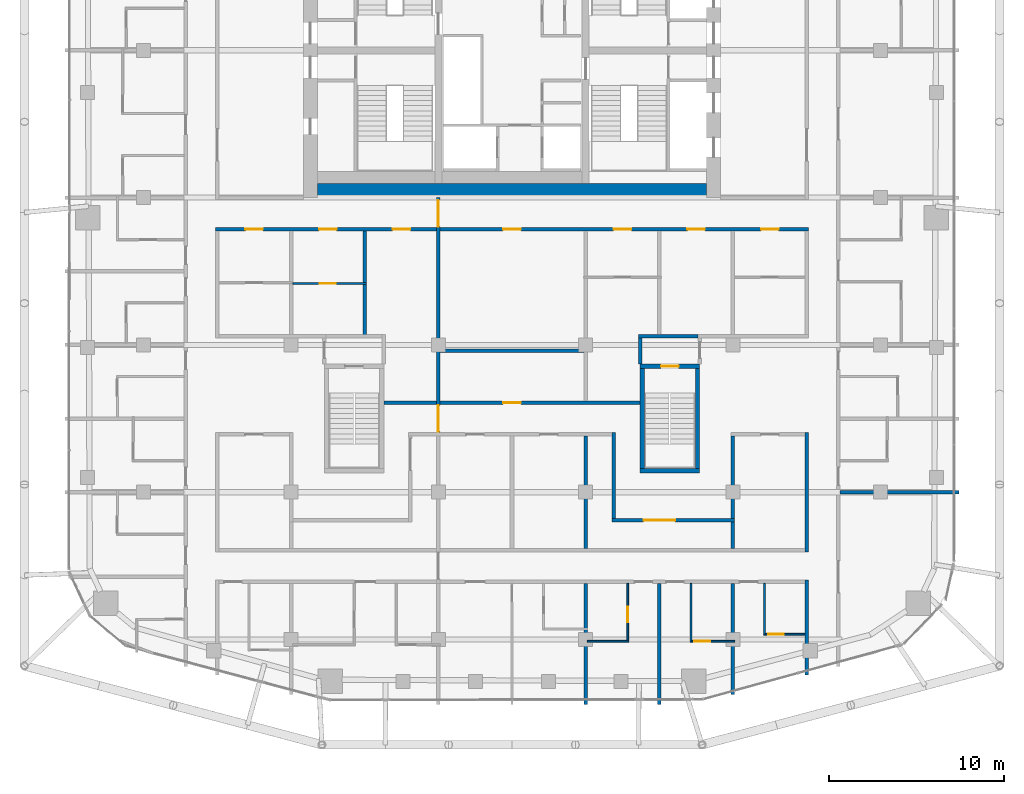
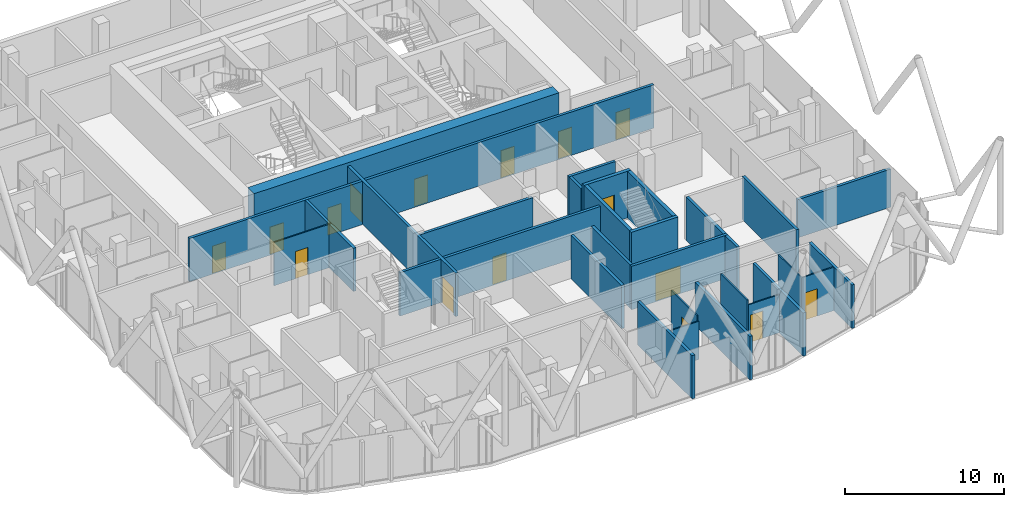
# One storey, part 25 of 31: 30 walls, 16 doors, 16 openings.
"""IFC4 building model written with IfcOpenShell, lengths in metres."""

import ifcopenshell
import ifcopenshell.guid

model = None  # the IFC model being written
_history = None  # IfcOwnerHistory: only IFC2X3 demands one
_inside = {}  # id of a spatial element -> (the spatial element, [elements in it])
_under = {}  # id of a project, library or spatial element -> (it, [spatial elements below it])
_declared = {}  # id of a project -> (the project, [libraries it declares])
_typed = {}  # id of a type object -> (the type object, [elements of that type])
_made_of = {}  # id of a material, layer set ... -> (it, [elements and type objects made of it])


def new_model(schema):
    """Start an empty IFC model of exactly this schema.

    Asked for "IFC4X3", IfcOpenShell would pick the latest addendum, in which some entities
    have other attributes; the version numbers below select the first issue.
    IFC2X3 requires an IfcOwnerHistory on every rooted entity: one is made here for all.
    """
    global model, _history
    if schema == "IFC4X3":
        model = ifcopenshell.file(schema_version=(4, 3, 0, 0))
    else:
        model = ifcopenshell.file(schema=schema)
    _inside.clear()
    _under.clear()
    _declared.clear()
    _typed.clear()
    _made_of.clear()
    _history = None
    if model.schema == "IFC2X3":
        org = make("IfcOrganization", Name="unknown")
        user = make(
            "IfcPersonAndOrganization",
            ThePerson=make("IfcPerson", FamilyName="unknown"),
            TheOrganization=org,
        )
        app = make(
            "IfcApplication",
            ApplicationDeveloper=org,
            Version="unknown",
            ApplicationFullName="unknown",
            ApplicationIdentifier="unknown",
        )
        _history = make(
            "IfcOwnerHistory",
            OwningUser=user,
            OwningApplication=app,
            ChangeAction="ADDED",
            CreationDate=0,
        )
    return model


def make(cls, **values):
    """One entity of the class cls with the attributes given. An attribute that is None is left unset."""
    return model.create_entity(
        cls, **{name: value for name, value in values.items() if value is not None}
    )


def rooted(cls, **values):
    """An entity with a GlobalId (a new one), such as an element, a storey or a relation."""
    return make(cls, GlobalId=ifcopenshell.guid.new(), OwnerHistory=_history, **values)


def si_unit(unit_type, name, prefix=None):
    """IfcSIUnit, for example si_unit("LENGTHUNIT", "METRE", prefix="MILLI")."""
    return make("IfcSIUnit", UnitType=unit_type, Prefix=prefix, Name=name)


def assignment(units):
    """IfcUnitAssignment: the units of a project."""
    return None if units is None else make("IfcUnitAssignment", Units=units)


def point(xyz):
    """IfcCartesianPoint."""
    return None if xyz is None else make("IfcCartesianPoint", Coordinates=xyz)


def direction(xyz):
    """IfcDirection."""
    return None if xyz is None else make("IfcDirection", DirectionRatios=xyz)


def frame(location, z_axis=None, x_axis=None):
    """IfcAxis2Placement3D, a coordinate frame: its origin and axes. An axis left out is left unset."""
    return make(
        "IfcAxis2Placement3D",
        Location=point(location),
        Axis=direction(z_axis),
        RefDirection=direction(x_axis),
    )


def frame_2d(location, x_axis=None):
    """IfcAxis2Placement2D, a coordinate frame in the plane: its origin and x axis."""
    return make(
        "IfcAxis2Placement2D", Location=point(location), RefDirection=direction(x_axis)
    )


def origin():
    """The frame at (0, 0, 0) with its axes left unset."""
    return frame((0.0, 0.0, 0.0))


def place(relative_to, where):
    """IfcLocalPlacement: puts the frame where relative to a parent placement (None: the world)."""
    return make(
        "IfcLocalPlacement", PlacementRelTo=relative_to, RelativePlacement=where
    )


def context(
    kind, dimensions, precision=None, world=None, true_north=None, identifier=None
):
    """IfcGeometricRepresentationContext, for example the 3D "Model" context."""
    return make(
        "IfcGeometricRepresentationContext",
        ContextIdentifier=identifier,
        ContextType=kind,
        CoordinateSpaceDimension=dimensions,
        Precision=precision,
        WorldCoordinateSystem=world,
        TrueNorth=true_north,
    )


def subcontext(parent, identifier, kind, view, scale=None):
    """IfcGeometricRepresentationSubContext, for example "Body" below "Model"."""
    return make(
        "IfcGeometricRepresentationSubContext",
        ContextIdentifier=identifier,
        ContextType=kind,
        ParentContext=parent,
        TargetScale=scale,
        TargetView=view,
    )


def project(units=None, contexts=None):
    """IfcProject with its units and contexts."""
    return rooted(
        "IfcProject",
        Name="project",
        RepresentationContexts=contexts,
        UnitsInContext=assignment(units),
    )


def spatial(cls, under=None, at=None, **own):
    """A site, building, storey or space (cls), placed at a placement, below another one or the project."""
    s = rooted(cls, ObjectPlacement=at, **own)
    if under is not None:
        _under.setdefault(under.id(), (under, []))[1].append(s)
    return s


def profile(cls, at=None, kind="AREA", **sizes):
    """A parametric profile (cls). Its sizes go by their IFC names, for example OverallWidth=200.0."""
    return make(cls, ProfileType=kind, Position=at, **sizes)


def rectangle(**sizes):
    """IfcRectangleProfileDef."""
    return profile("IfcRectangleProfileDef", **sizes)


def extrude(swept, where, along, depth):
    """IfcExtrudedAreaSolid: the profile swept, set in the frame where, extruded along a direction by depth."""
    return make(
        "IfcExtrudedAreaSolid",
        SweptArea=swept,
        Position=where,
        ExtrudedDirection=direction(along),
        Depth=depth,
    )


def shape(context_of_items, identifier, shape_type, items):
    """IfcShapeRepresentation: the items that make up one representation, for example the "Body"."""
    return make(
        "IfcShapeRepresentation",
        ContextOfItems=context_of_items,
        RepresentationIdentifier=identifier,
        RepresentationType=shape_type,
        Items=items,
    )


def material(Name=None, Category=None):
    """IfcMaterial."""
    return make("IfcMaterial", Name=Name, Category=Category)


def layer(
    of_material, thickness, ventilated=None, Name=None, Category=None, Priority=None
):
    """IfcMaterialLayer: one layer of a wall or slab, of a material (None: an air gap)."""
    return make(
        "IfcMaterialLayer",
        Material=of_material,
        LayerThickness=thickness,
        IsVentilated=ventilated,
        Name=Name,
        Category=Category,
        Priority=Priority,
    )


def layer_set(layers, Name=None):
    """IfcMaterialLayerSet."""
    return make("IfcMaterialLayerSet", MaterialLayers=layers, LayerSetName=Name)


def made_of(thing, what):
    """Note that an element or type object is made of a material, layer set ...; save() writes the relation."""
    if what is not None:
        _made_of.setdefault(what.id(), (what, []))[1].append(thing)
    return thing


def type_object(cls, material=None, **own):
    """A type object (cls), such as IfcWallType, which elements share."""
    return made_of(rooted(cls, **own), material)


def element(
    cls,
    number,
    at=None,
    inside=None,
    cuts=None,
    type_object=None,
    material=None,
    context=None,
    identifier="Body",
    shape_type=None,
    held_by="IfcProductDefinitionShape",
    body=None,
    shapes=None,
    **own,
):
    """One element of the class cls, such as IfcWall. Its Tag is "e" and its number.

    at: its placement. inside: the storey or other place that contains it. cuts: it is an
    opening in that element (IfcRelVoidsElement). A single representation is given by context,
    identifier, shape_type and body (its items); several are given by shapes. held_by: the class
    of the entity that holds the representations. save() writes the other relations.
    """
    e = rooted(cls, Tag="e%d" % number, ObjectPlacement=at, **own)
    if body is not None:
        shapes = [shape(context, identifier, shape_type, body)]
    if shapes is not None:
        e.Representation = make(held_by, Representations=shapes)
    if inside is not None:
        _inside.setdefault(inside.id(), (inside, []))[1].append(e)
    if cuts is not None:
        rooted(
            "IfcRelVoidsElement", RelatingBuildingElement=cuts, RelatedOpeningElement=e
        )
    if type_object is not None:
        _typed.setdefault(type_object.id(), (type_object, []))[1].append(e)
    return made_of(e, material)


def fill(opening, filler):
    """IfcRelFillsElement: the door or window that sits in an opening."""
    return rooted(
        "IfcRelFillsElement",
        RelatingOpeningElement=opening,
        RelatedBuildingElement=filler,
    )


def aggregate(whole, parts):
    """IfcRelAggregates: a whole, such as a stair, and the parts it consists of."""
    return rooted("IfcRelAggregates", RelatingObject=whole, RelatedObjects=parts)


def save(model, path):
    """Write the relations noted so far, then the file.

    IfcRelAggregates (storeys below a building ...), IfcRelContainedInSpatialStructure (elements
    in a storey), IfcRelDefinesByType, IfcRelAssociatesMaterial and IfcRelDeclares: one each for
    every whole, place, type object, material and project.
    """
    for whole, parts in _under.values():
        aggregate(whole, parts)
    for where, things in _inside.values():
        rooted(
            "IfcRelContainedInSpatialStructure",
            RelatedElements=things,
            RelatingStructure=where,
        )
    for kind, things in _typed.values():
        rooted("IfcRelDefinesByType", RelatedObjects=things, RelatingType=kind)
    for what, things in _made_of.values():
        rooted("IfcRelAssociatesMaterial", RelatedObjects=things, RelatingMaterial=what)
    for by, libraries in _declared.values():
        rooted("IfcRelDeclares", RelatingContext=by, RelatedDefinitions=libraries)
    model.write(path)


model = new_model("IFC4")

# Units and contexts
model_context = context("Model", 3, precision=1e-05, world=origin(), true_north=direction((0.0, 1.0)))
body_context = subcontext(model_context, "Body", "Model", "MODEL_VIEW")
ifc_project = project(units=[si_unit("LENGTHUNIT", "METRE"), si_unit("AREAUNIT", "SQUARE_METRE"), si_unit("VOLUMEUNIT", "CUBIC_METRE"), si_unit("PLANEANGLEUNIT", "RADIAN"), si_unit("MASSUNIT", "GRAM", prefix="KILO")], contexts=[model_context])

# Site, building, storey
site_placement = place(None, origin())
site = spatial("IfcSite", under=ifc_project, at=site_placement, CompositionType="ELEMENT")
building_placement = place(site_placement, origin())
building = spatial("IfcBuilding", under=site, at=building_placement, Name="Marenta Gate Hotel Tower", CompositionType="ELEMENT")
storey_placement = place(building_placement, frame((0.0, 0.0, 220.10009765625)))
storey = spatial("IfcBuildingStorey", under=building, at=storey_placement, Name="L51", CompositionType="ELEMENT", Elevation=220.10009765625)

# Wall, openings, doors
ifc_material_1 = material(Name="Concrete blockwork", Category="masonry")
ifc_layer_1 = layer(ifc_material_1, 0.199951171875)
ifc_layer_set_1 = layer_set([ifc_layer_1], Name="Concrete blockwork")
wall_type_1 = type_object("IfcWallType", Name="Compartment wall 200 REI 180", PredefinedType="PARTITIONING", material=ifc_layer_set_1)
wall_1_placement = place(storey_placement, frame((-4.199951171875, -13.60009765625, 0.0), z_axis=(0.0, 0.0, 1.0), x_axis=(0.0, 1.0, 0.0)))
wall_1 = element("IfcWall", 1, at=wall_1_placement, inside=storey, type_object=wall_type_1, Name="L51-PTN-W082", PredefinedType="PARTITIONING", context=body_context, shape_type="SweptSolid", body=[
    extrude(rectangle(XDim=13.60009765625, YDim=0.199951171875, at=frame_2d((6.800048828125, 0.0))), origin(), (0.0, 0.0, 1.0), 3.33984375),
])
opening_1_placement = place(wall_1_placement, frame((11.949951171875, 0.0, 0.0)))
opening_1 = element("IfcOpeningElement", 2, at=opening_1_placement, cuts=wall_1, Name="Opening G19-FD2", PredefinedType="OPENING", context=body_context, shape_type="SweptSolid", body=[
    extrude(rectangle(XDim=1.5, YDim=2.10009765625, at=frame_2d((0.75, 1.050048828125))), frame((0.0, 0.10009765625, 0.0), z_axis=(0.0, -1.0, 0.0), x_axis=(1.0, 0.0, 0.0)), (0.0, 0.0, 1.0), 0.199951171875),
])
opening_2_placement = place(wall_1_placement, frame((0.25, 0.0, 0.0)))
opening_2 = element("IfcOpeningElement", 3, at=opening_2_placement, cuts=wall_1, Name="Opening G19-FD3", PredefinedType="OPENING", context=body_context, shape_type="SweptSolid", body=[
    extrude(rectangle(XDim=1.5, YDim=2.10009765625, at=frame_2d((0.75, 1.050048828125))), frame((0.0, 0.10009765625, 0.0), z_axis=(0.0, -1.0, 0.0), x_axis=(1.0, 0.0, 0.0)), (0.0, 0.0, 1.0), 0.199951171875),
])
ifc_material_2 = material(Name="Hollow steel door set", Category="steel")
door_type_1 = type_object("IfcDoorType", Name="Compartment fire door 1500x2100 EI 60", OperationType="DOUBLE_DOOR_DOUBLE_SWING", PredefinedType="DOOR", material=ifc_material_2)
door_1_placement = place(opening_1_placement, origin())
door_1 = element("IfcDoor", 4, at=door_1_placement, inside=storey, type_object=door_type_1, Name="L51-PD-FD02", OperationType="DOUBLE_DOOR_DOUBLE_SWING", OverallHeight=2.10009765625, OverallWidth=1.5, PredefinedType="DOOR", context=body_context, shape_type="SweptSolid", body=[
    extrude(rectangle(XDim=1.5, YDim=2.10009765625, at=frame_2d((0.75, 1.050048828125))), frame((0.0, 0.02490234375, 0.0), z_axis=(0.0, -1.0, 0.0), x_axis=(1.0, 0.0, 0.0)), (0.0, 0.0, 1.0), 0.050048828125),
])
fill(opening_1, door_1)
door_2_placement = place(opening_2_placement, origin())
door_2 = element("IfcDoor", 5, at=door_2_placement, inside=storey, type_object=door_type_1, Name="L51-PD-FD03", OperationType="DOUBLE_DOOR_DOUBLE_SWING", OverallHeight=2.10009765625, OverallWidth=1.5, PredefinedType="DOOR", context=body_context, shape_type="SweptSolid", body=[
    extrude(rectangle(XDim=1.5, YDim=2.10009765625, at=frame_2d((0.75, 1.050048828125))), frame((0.0, 0.02490234375, 0.0), z_axis=(0.0, -1.0, 0.0), x_axis=(1.0, 0.0, 0.0)), (0.0, 0.0, 1.0), 0.050048828125),
])
fill(opening_2, door_2)

# Walls
ifc_material_3 = material(Name="Concrete C60", Category="concrete")
ifc_layer_2 = layer(ifc_material_3, 0.800048828125)
ifc_layer_set_2 = layer_set([ifc_layer_2], Name="Concrete C60")
wall_type_2 = type_object("IfcWallType", Name="Core wall 800 C60", PredefinedType="SHEAR", material=ifc_layer_set_2)
wall_2_placement = place(storey_placement, frame((-11.10009765625, 0.39990234375, 0.0), z_axis=(0.0, 0.0, 1.0), x_axis=(1.0, 0.0, 0.0)))
element("IfcWall", 6, at=wall_2_placement, inside=storey, type_object=wall_type_2, Name="L51-CORE-S", PredefinedType="SHEAR", context=body_context, shape_type="SweptSolid", body=[
    extrude(rectangle(XDim=22.2001953125, YDim=0.800048828125, at=frame_2d((11.10009765625, 0.0))), origin(), (0.0, 0.0, 1.0), 3.599853515625),
])
ifc_material_4 = material(Name="Concrete C40", Category="concrete")
ifc_layer_3 = layer(ifc_material_4, 0.25)
ifc_layer_set_3 = layer_set([ifc_layer_3], Name="Concrete C40")
wall_type_3 = type_object("IfcWallType", Name="Remote stair enclosure wall 250 REI 180", PredefinedType="SHEAR", material=ifc_layer_set_3)
wall_3_placement = place(storey_placement, frame((7.300048828125, -15.574951171875, 0.099853515625), z_axis=(0.0, 0.0, 1.0), x_axis=(1.0, 0.0, 0.0)))
element("IfcWall", 7, at=wall_3_placement, inside=storey, type_object=wall_type_3, Name="L51-RS-Z3-2-W1", PredefinedType="SHEAR", context=body_context, shape_type="SweptSolid", body=[
    extrude(rectangle(XDim=3.39990234375, YDim=0.25, at=frame_2d((1.699951171875, 0.0))), origin(), (0.0, 0.0, 1.0), 3.60009765625),
])

# Wall, opening, door
wall_4_placement = place(storey_placement, frame((7.300048828125, -9.625, 0.099853515625), z_axis=(0.0, 0.0, 1.0), x_axis=(1.0, 0.0, 0.0)))
wall_4 = element("IfcWall", 8, at=wall_4_placement, inside=storey, type_object=wall_type_3, Name="L51-RS-Z3-2-W2", PredefinedType="SHEAR", context=body_context, shape_type="SweptSolid", body=[
    extrude(rectangle(XDim=3.39990234375, YDim=0.25, at=frame_2d((1.699951171875, 0.0))), origin(), (0.0, 0.0, 1.0), 3.60009765625),
])
opening_3_placement = place(wall_4_placement, frame((1.199951171875, 0.0, 0.0)))
opening_3 = element("IfcOpeningElement", 9, at=opening_3_placement, cuts=wall_4, Name="Opening VD", PredefinedType="OPENING", context=body_context, shape_type="SweptSolid", body=[
    extrude(rectangle(XDim=1.0, YDim=2.10009765625, at=frame_2d((0.5, 1.050048828125))), frame((0.0, 0.125, 0.0), z_axis=(0.0, -1.0, 0.0), x_axis=(1.0, 0.0, 0.0)), (0.0, 0.0, 1.0), 0.25),
])
ifc_material_5 = material(Name="Steel", Category="steel")
door_type_2 = type_object("IfcDoorType", Name="Stair vestibule door 1000x2100 FD60", OperationType="SINGLE_SWING_LEFT", PredefinedType="DOOR", material=ifc_material_5)
door_3_placement = place(opening_3_placement, origin())
door_3 = element("IfcDoor", 10, at=door_3_placement, inside=storey, type_object=door_type_2, Name="VD", OperationType="SINGLE_SWING_LEFT", OverallHeight=2.10009765625, OverallWidth=1.0, PredefinedType="DOOR", context=body_context, shape_type="SweptSolid", body=[
    extrude(rectangle(XDim=1.0, YDim=2.10009765625, at=frame_2d((0.5, 1.050048828125))), frame((0.0, 0.02490234375, 0.0), z_axis=(0.0, -1.0, 0.0), x_axis=(1.0, 0.0, 0.0)), (0.0, 0.0, 1.0), 0.050048828125),
])
fill(opening_3, door_3)

# Walls
for number, where, z_axis, x_axis, name in (
    (11, (7.425048828125, -15.449951171875, 0.099853515625), (0.0, 0.0, 1.0), (0.0, 1.0, 0.0), "L51-RS-Z3-2-W3"),
    (12, (10.574951171875, -15.449951171875, 0.099853515625), (0.0, 0.0, 1.0), (0.0, 1.0, 0.0), "L51-RS-Z3-2-W4"),
):
    element("IfcWall", number, at=place(storey_placement, frame(where, z_axis=z_axis, x_axis=x_axis)), inside=storey, type_object=wall_type_3, Name=name, PredefinedType="SHEAR", context=body_context, shape_type="SweptSolid", body=[
        extrude(rectangle(XDim=5.699951171875, YDim=0.25, at=frame_2d((2.85009765625, 0.0))), origin(), (0.0, 0.0, 1.0), 3.60009765625),
    ])

# Wall, opening, door
ifc_material_6 = material(Name="Concrete blockwork", Category="masonry")
ifc_layer_4 = layer(ifc_material_6, 0.199951171875)
ifc_layer_set_4 = layer_set([ifc_layer_4], Name="Concrete blockwork")
wall_type_4 = type_object("IfcWallType", Name="Room corridor wall 200 EI 120", PredefinedType="PARTITIONING", material=ifc_layer_set_4)
wall_5_placement = place(storey_placement, frame((-7.300048828125, -11.699951171875, 0.0), z_axis=(0.0, 0.0, 1.0), x_axis=(1.0, 0.0, 0.0)))
wall_5 = element("IfcWall", 13, at=wall_5_placement, inside=storey, type_object=wall_type_4, Name="L51-PTN-W043", PredefinedType="PARTITIONING", context=body_context, shape_type="SweptSolid", body=[
    extrude(rectangle(XDim=14.60009765625, YDim=0.199951171875, at=frame_2d((7.300048828125, 0.0))), origin(), (0.0, 0.0, 1.0), 3.33984375),
])
opening_4_placement = place(wall_5_placement, frame((6.800048828125, 0.0, 0.0)))
opening_4 = element("IfcOpeningElement", 14, at=opening_4_placement, cuts=wall_5, Name="Opening G19-73", PredefinedType="OPENING", context=body_context, shape_type="SweptSolid", body=[
    extrude(rectangle(XDim=1.0, YDim=2.10009765625, at=frame_2d((0.5, 1.050048828125))), frame((0.0, 0.10009765625, 0.0), z_axis=(0.0, -1.0, 0.0), x_axis=(1.0, 0.0, 0.0)), (0.0, 0.0, 1.0), 0.199951171875),
])
ifc_material_7 = material(Name="Timber door leaf", Category="wood")
door_type_3 = type_object("IfcDoorType", Name="Room amenity door 1000x2100 EI 60", OperationType="NOTDEFINED", PredefinedType="DOOR", material=ifc_material_7)
door_4_placement = place(opening_4_placement, origin())
door_4 = element("IfcDoor", 15, at=door_4_placement, inside=storey, type_object=door_type_3, Name="L51-PD-D073", OperationType="SINGLE_SWING_LEFT", OverallHeight=2.10009765625, OverallWidth=1.0, PredefinedType="DOOR", context=body_context, shape_type="SweptSolid", body=[
    extrude(rectangle(XDim=1.0, YDim=2.10009765625, at=frame_2d((0.5, 1.050048828125))), frame((0.0, 0.02490234375, 0.0), z_axis=(0.0, -1.0, 0.0), x_axis=(1.0, 0.0, 0.0)), (0.0, 0.0, 1.0), 0.050048828125),
])
fill(opening_4, door_4)

# Wall, openings, doors
wall_6_placement = place(storey_placement, frame((-16.89990234375, -1.800048828125, 0.0), z_axis=(0.0, 0.0, 1.0), x_axis=(1.0, 0.0, 0.0)))
wall_6 = element("IfcWall", 16, at=wall_6_placement, inside=storey, type_object=wall_type_4, Name="L51-PTN-W074", PredefinedType="PARTITIONING", context=body_context, shape_type="SweptSolid", body=[
    extrude(rectangle(XDim=33.7998046875, YDim=0.199951171875, at=frame_2d((16.89990234375, 0.0))), origin(), (0.0, 0.0, 1.0), 3.33984375),
])
opening_5_placement = place(wall_6_placement, frame((1.699951171875, 0.0, 0.0)))
opening_5 = element("IfcOpeningElement", 17, at=opening_5_placement, cuts=wall_6, Name="Opening G19-01", PredefinedType="OPENING", context=body_context, shape_type="SweptSolid", body=[
    extrude(rectangle(XDim=1.0, YDim=2.10009765625, at=frame_2d((0.5, 1.050048828125))), frame((0.0, 0.10009765625, 0.0), z_axis=(0.0, -1.0, 0.0), x_axis=(1.0, 0.0, 0.0)), (0.0, 0.0, 1.0), 0.199951171875),
])
opening_6_placement = place(wall_6_placement, frame((5.89990234375, 0.0, 0.0)))
opening_6 = element("IfcOpeningElement", 18, at=opening_6_placement, cuts=wall_6, Name="Opening G19-03", PredefinedType="OPENING", context=body_context, shape_type="SweptSolid", body=[
    extrude(rectangle(XDim=1.0, YDim=2.10009765625, at=frame_2d((0.5, 1.050048828125))), frame((0.0, 0.10009765625, 0.0), z_axis=(0.0, -1.0, 0.0), x_axis=(1.0, 0.0, 0.0)), (0.0, 0.0, 1.0), 0.199951171875),
])
opening_7_placement = place(wall_6_placement, frame((10.10009765625, 0.0, 0.0)))
opening_7 = element("IfcOpeningElement", 19, at=opening_7_placement, cuts=wall_6, Name="Opening G19-05", PredefinedType="OPENING", context=body_context, shape_type="SweptSolid", body=[
    extrude(rectangle(XDim=1.0, YDim=2.10009765625, at=frame_2d((0.5, 1.050048828125))), frame((0.0, 0.10009765625, 0.0), z_axis=(0.0, -1.0, 0.0), x_axis=(1.0, 0.0, 0.0)), (0.0, 0.0, 1.0), 0.199951171875),
])
opening_8_placement = place(wall_6_placement, frame((22.699951171875, 0.0, 0.0)))
opening_8 = element("IfcOpeningElement", 20, at=opening_8_placement, cuts=wall_6, Name="Opening G19-06", PredefinedType="OPENING", context=body_context, shape_type="SweptSolid", body=[
    extrude(rectangle(XDim=1.0, YDim=2.10009765625, at=frame_2d((0.5, 1.050048828125))), frame((0.0, 0.10009765625, 0.0), z_axis=(0.0, -1.0, 0.0), x_axis=(1.0, 0.0, 0.0)), (0.0, 0.0, 1.0), 0.199951171875),
])
opening_9_placement = place(wall_6_placement, frame((26.89990234375, 0.0, 0.0)))
opening_9 = element("IfcOpeningElement", 21, at=opening_9_placement, cuts=wall_6, Name="Opening G19-08", PredefinedType="OPENING", context=body_context, shape_type="SweptSolid", body=[
    extrude(rectangle(XDim=1.0, YDim=2.10009765625, at=frame_2d((0.5, 1.050048828125))), frame((0.0, 0.10009765625, 0.0), z_axis=(0.0, -1.0, 0.0), x_axis=(1.0, 0.0, 0.0)), (0.0, 0.0, 1.0), 0.199951171875),
])
opening_10_placement = place(wall_6_placement, frame((31.10009765625, 0.0, 0.0)))
opening_10 = element("IfcOpeningElement", 22, at=opening_10_placement, cuts=wall_6, Name="Opening G19-09", PredefinedType="OPENING", context=body_context, shape_type="SweptSolid", body=[
    extrude(rectangle(XDim=1.0, YDim=2.10009765625, at=frame_2d((0.5, 1.050048828125))), frame((0.0, 0.10009765625, 0.0), z_axis=(0.0, -1.0, 0.0), x_axis=(1.0, 0.0, 0.0)), (0.0, 0.0, 1.0), 0.199951171875),
])
opening_11_placement = place(wall_6_placement, frame((16.39990234375, 0.0, 0.0)))
opening_11 = element("IfcOpeningElement", 23, at=opening_11_placement, cuts=wall_6, Name="Opening G19-74", PredefinedType="OPENING", context=body_context, shape_type="SweptSolid", body=[
    extrude(rectangle(XDim=1.0, YDim=2.10009765625, at=frame_2d((0.5, 1.050048828125))), frame((0.0, 0.10009765625, 0.0), z_axis=(0.0, -1.0, 0.0), x_axis=(1.0, 0.0, 0.0)), (0.0, 0.0, 1.0), 0.199951171875),
])
door_5_placement = place(opening_7_placement, origin())
door_5 = element("IfcDoor", 24, at=door_5_placement, inside=storey, type_object=door_type_3, Name="L51-PD-D005", OperationType="SINGLE_SWING_RIGHT", OverallHeight=2.10009765625, OverallWidth=1.0, PredefinedType="DOOR", context=body_context, shape_type="SweptSolid", body=[
    extrude(rectangle(XDim=1.0, YDim=2.10009765625, at=frame_2d((0.5, 1.050048828125))), frame((0.0, 0.02490234375, 0.0), z_axis=(0.0, -1.0, 0.0), x_axis=(1.0, 0.0, 0.0)), (0.0, 0.0, 1.0), 0.050048828125),
])
fill(opening_7, door_5)
door_6_placement = place(opening_9_placement, origin())
door_6 = element("IfcDoor", 25, at=door_6_placement, inside=storey, type_object=door_type_3, Name="L51-PD-D008", OperationType="SINGLE_SWING_LEFT", OverallHeight=2.10009765625, OverallWidth=1.0, PredefinedType="DOOR", context=body_context, shape_type="SweptSolid", body=[
    extrude(rectangle(XDim=1.0, YDim=2.10009765625, at=frame_2d((0.5, 1.050048828125))), frame((0.0, 0.02490234375, 0.0), z_axis=(0.0, -1.0, 0.0), x_axis=(1.0, 0.0, 0.0)), (0.0, 0.0, 1.0), 0.050048828125),
])
fill(opening_9, door_6)
door_7_placement = place(opening_11_placement, origin())
door_7 = element("IfcDoor", 26, at=door_7_placement, inside=storey, type_object=door_type_3, Name="L51-PD-D074", OperationType="SINGLE_SWING_LEFT", OverallHeight=2.10009765625, OverallWidth=1.0, PredefinedType="DOOR", context=body_context, shape_type="SweptSolid", body=[
    extrude(rectangle(XDim=1.0, YDim=2.10009765625, at=frame_2d((0.5, 1.050048828125))), frame((0.0, 0.02490234375, 0.0), z_axis=(0.0, -1.0, 0.0), x_axis=(1.0, 0.0, 0.0)), (0.0, 0.0, 1.0), 0.050048828125),
])
fill(opening_11, door_7)
ifc_material_8 = material(Name="Hollow steel door set", Category="steel")
door_type_4 = type_object("IfcDoorType", Name="Room service door 1000x2100 EI 60", OperationType="NOTDEFINED", PredefinedType="DOOR", material=ifc_material_8)
door_8_placement = place(opening_5_placement, origin())
door_8 = element("IfcDoor", 27, at=door_8_placement, inside=storey, type_object=door_type_4, Name="L51-PD-D001", OperationType="SINGLE_SWING_LEFT", OverallHeight=2.10009765625, OverallWidth=1.0, PredefinedType="DOOR", context=body_context, shape_type="SweptSolid", body=[
    extrude(rectangle(XDim=1.0, YDim=2.10009765625, at=frame_2d((0.5, 1.050048828125))), frame((0.0, 0.02490234375, 0.0), z_axis=(0.0, -1.0, 0.0), x_axis=(1.0, 0.0, 0.0)), (0.0, 0.0, 1.0), 0.050048828125),
])
fill(opening_5, door_8)
door_9_placement = place(opening_6_placement, origin())
door_9 = element("IfcDoor", 28, at=door_9_placement, inside=storey, type_object=door_type_4, Name="L51-PD-D003", OperationType="SINGLE_SWING_LEFT", OverallHeight=2.10009765625, OverallWidth=1.0, PredefinedType="DOOR", context=body_context, shape_type="SweptSolid", body=[
    extrude(rectangle(XDim=1.0, YDim=2.10009765625, at=frame_2d((0.5, 1.050048828125))), frame((0.0, 0.02490234375, 0.0), z_axis=(0.0, -1.0, 0.0), x_axis=(1.0, 0.0, 0.0)), (0.0, 0.0, 1.0), 0.050048828125),
])
fill(opening_6, door_9)
door_10_placement = place(opening_8_placement, origin())
door_10 = element("IfcDoor", 29, at=door_10_placement, inside=storey, type_object=door_type_4, Name="L51-PD-D006", OperationType="SINGLE_SWING_RIGHT", OverallHeight=2.10009765625, OverallWidth=1.0, PredefinedType="DOOR", context=body_context, shape_type="SweptSolid", body=[
    extrude(rectangle(XDim=1.0, YDim=2.10009765625, at=frame_2d((0.5, 1.050048828125))), frame((0.0, 0.02490234375, 0.0), z_axis=(0.0, -1.0, 0.0), x_axis=(1.0, 0.0, 0.0)), (0.0, 0.0, 1.0), 0.050048828125),
])
fill(opening_8, door_10)
door_11_placement = place(opening_10_placement, origin())
door_11 = element("IfcDoor", 30, at=door_11_placement, inside=storey, type_object=door_type_4, Name="L51-PD-D009", OperationType="SINGLE_SWING_LEFT", OverallHeight=2.10009765625, OverallWidth=1.0, PredefinedType="DOOR", context=body_context, shape_type="SweptSolid", body=[
    extrude(rectangle(XDim=1.0, YDim=2.10009765625, at=frame_2d((0.5, 1.050048828125))), frame((0.0, 0.02490234375, 0.0), z_axis=(0.0, -1.0, 0.0), x_axis=(1.0, 0.0, 0.0)), (0.0, 0.0, 1.0), 0.050048828125),
])
fill(opening_10, door_11)

# Wall, opening, door
ifc_material_9 = material(Name="Gypsum board on steel stud", Category="steel")
ifc_layer_5 = layer(ifc_material_9, 0.199951171875)
ifc_layer_set_5 = layer_set([ifc_layer_5], Name="Gypsum board on steel stud")
wall_type_5 = type_object("IfcWallType", Name="Room corridor wall 200 EI 60", PredefinedType="PARTITIONING", material=ifc_layer_set_5)
wall_7_placement = place(storey_placement, frame((5.699951171875, -18.39990234375, 0.0), z_axis=(0.0, 0.0, 1.0), x_axis=(1.0, 0.0, 0.0)))
wall_7 = element("IfcWall", 31, at=wall_7_placement, inside=storey, type_object=wall_type_5, Name="L51-PTN-W023", PredefinedType="PARTITIONING", context=body_context, shape_type="SweptSolid", body=[
    extrude(rectangle(XDim=7.0, YDim=0.199951171875, at=frame_2d((3.5, 0.0))), origin(), (0.0, 0.0, 1.0), 3.33984375),
])
opening_12_placement = place(wall_7_placement, frame((1.800048828125, 0.0, 0.0)))
opening_12 = element("IfcOpeningElement", 32, at=opening_12_placement, cuts=wall_7, Name="Opening G19-15", PredefinedType="OPENING", context=body_context, shape_type="SweptSolid", body=[
    extrude(rectangle(XDim=1.800048828125, YDim=2.10009765625, at=frame_2d((0.89990234375, 1.050048828125))), frame((0.0, 0.10009765625, 0.0), z_axis=(0.0, -1.0, 0.0), x_axis=(1.0, 0.0, 0.0)), (0.0, 0.0, 1.0), 0.199951171875),
])
ifc_material_10 = material(Name="Timber door leaf", Category="wood")
door_type_5 = type_object("IfcDoorType", Name="Room amenity door 1800x2100 EI 30", OperationType="DOUBLE_DOOR_SINGLE_SWING", PredefinedType="DOOR", material=ifc_material_10)
door_12_placement = place(opening_12_placement, origin())
door_12 = element("IfcDoor", 33, at=door_12_placement, inside=storey, type_object=door_type_5, Name="L51-PD-D015", OperationType="DOUBLE_DOOR_SINGLE_SWING", OverallHeight=2.10009765625, OverallWidth=1.800048828125, PredefinedType="DOOR", context=body_context, shape_type="SweptSolid", body=[
    extrude(rectangle(XDim=1.800048828125, YDim=2.10009765625, at=frame_2d((0.89990234375, 1.050048828125))), frame((0.0, 0.02490234375, 0.0), z_axis=(0.0, -1.0, 0.0), x_axis=(1.0, 0.0, 0.0)), (0.0, 0.0, 1.0), 0.050048828125),
])
fill(opening_12, door_12)

# Walls
wall_8_placement = place(storey_placement, frame((16.800048828125, -27.22900390625, 0.0), z_axis=(0.0, 0.0, 1.0), x_axis=(0.0, 1.0, 0.0)))
element("IfcWall", 34, at=wall_8_placement, inside=storey, type_object=wall_type_5, Name="L51-PTN-W024", PredefinedType="PARTITIONING", context=body_context, shape_type="SweptSolid", body=[
    extrude(rectangle(XDim=5.428955078125, YDim=0.199951171875, at=frame_2d((2.71435546875, 0.0))), origin(), (0.0, 0.0, 1.0), 3.33984375),
])
wall_9_placement = place(storey_placement, frame((16.800048828125, -20.199951171875, 0.0), z_axis=(0.0, 0.0, 1.0), x_axis=(0.0, 1.0, 0.0)))
element("IfcWall", 35, at=wall_9_placement, inside=storey, type_object=wall_type_5, Name="L51-PTN-W025", PredefinedType="PARTITIONING", context=body_context, shape_type="SweptSolid", body=[
    extrude(rectangle(XDim=6.800048828125, YDim=0.199951171875, at=frame_2d((3.39990234375, 0.0))), origin(), (0.0, 0.0, 1.0), 3.33984375),
])
wall_10_placement = place(storey_placement, frame((12.60009765625, -18.300048828125, 0.0), z_axis=(0.0, 0.0, 1.0), x_axis=(0.0, 1.0, 0.0)))
element("IfcWall", 36, at=wall_10_placement, inside=storey, type_object=wall_type_5, Name="L51-PTN-W040", PredefinedType="PARTITIONING", context=body_context, shape_type="SweptSolid", body=[
    extrude(rectangle(XDim=4.699951171875, YDim=0.199951171875, at=frame_2d((2.35009765625, 0.0))), origin(), (0.0, 0.0, 1.0), 3.33984375),
])
wall_11_placement = place(storey_placement, frame((5.800048828125, -18.300048828125, 0.0), z_axis=(0.0, 0.0, 1.0), x_axis=(0.0, 1.0, 0.0)))
element("IfcWall", 37, at=wall_11_placement, inside=storey, type_object=wall_type_5, Name="L51-PTN-W060", PredefinedType="PARTITIONING", context=body_context, shape_type="SweptSolid", body=[
    extrude(rectangle(XDim=4.900146484375, YDim=0.199951171875, at=frame_2d((2.4501953125, 0.0))), origin(), (0.0, 0.0, 1.0), 3.33984375),
])
ifc_material_11 = material(Name="Gypsum board on steel stud", Category="steel")
ifc_layer_6 = layer(ifc_material_11, 0.10009765625)
ifc_layer_set_6 = layer_set([ifc_layer_6], Name="Gypsum board on steel stud")
wall_type_6 = type_object("IfcWallType", Name="Room partition 100", PredefinedType="PARTITIONING", material=ifc_layer_set_6)
wall_12_placement = place(storey_placement, frame((4.300048828125, -25.300048828125, 0.0), z_axis=(0.0, 0.0, 1.0), x_axis=(1.0, 0.0, 0.0)))
element("IfcWall", 38, at=wall_12_placement, inside=storey, type_object=wall_type_6, Name="L51-PTN-W005", PredefinedType="PARTITIONING", context=body_context, shape_type="SweptSolid", body=[
    extrude(rectangle(XDim=2.349853515625, YDim=0.10009765625, at=frame_2d((1.1748046875, 0.0))), origin(), (0.0, 0.0, 1.0), 2.93994140625),
])

# Wall, opening, door
wall_13_placement = place(storey_placement, frame((10.25, -25.300048828125, 0.0), z_axis=(0.0, 0.0, 1.0), x_axis=(1.0, 0.0, 0.0)))
wall_13 = element("IfcWall", 39, at=wall_13_placement, inside=storey, type_object=wall_type_6, Name="L51-PTN-W006", PredefinedType="PARTITIONING", context=body_context, shape_type="SweptSolid", body=[
    extrude(rectangle(XDim=2.449951171875, YDim=0.10009765625, at=frame_2d((1.22509765625, 0.0))), origin(), (0.0, 0.0, 1.0), 2.93994140625),
])
opening_13_placement = place(wall_13_placement, frame((0.14990234375, 0.0, 0.0)))
opening_13 = element("IfcOpeningElement", 40, at=opening_13_placement, cuts=wall_13, Name="Opening G19-47", PredefinedType="OPENING", context=body_context, shape_type="SweptSolid", body=[
    extrude(rectangle(XDim=0.89990234375, YDim=2.10009765625, at=frame_2d((0.449951171875, 1.050048828125))), frame((0.0, 0.050048828125, 0.0), z_axis=(0.0, -1.0, 0.0), x_axis=(1.0, 0.0, 0.0)), (0.0, 0.0, 1.0), 0.10009765625),
])
ifc_material_12 = material(Name="Timber door leaf", Category="wood")
door_type_6 = type_object("IfcDoorType", Name="Guest bathroom door 900x2100", OperationType="NOTDEFINED", PredefinedType="DOOR", material=ifc_material_12)
door_13_placement = place(opening_13_placement, origin())
door_13 = element("IfcDoor", 41, at=door_13_placement, inside=storey, type_object=door_type_6, Name="L51-PD-D047", OperationType="SINGLE_SWING_LEFT", OverallHeight=2.10009765625, OverallWidth=0.89990234375, PredefinedType="DOOR", context=body_context, shape_type="SweptSolid", body=[
    extrude(rectangle(XDim=0.89990234375, YDim=2.10009765625, at=frame_2d((0.449951171875, 1.050048828125))), frame((0.0, 0.02490234375, 0.0), z_axis=(0.0, -1.0, 0.0), x_axis=(1.0, 0.0, 0.0)), (0.0, 0.0, 1.0), 0.050048828125),
])
fill(opening_13, door_13)

wall_14_placement = place(storey_placement, frame((14.449951171875, -24.89990234375, 0.0), z_axis=(0.0, 0.0, 1.0), x_axis=(1.0, 0.0, 0.0)))
wall_14 = element("IfcWall", 42, at=wall_14_placement, inside=storey, type_object=wall_type_6, Name="L51-PTN-W007", PredefinedType="PARTITIONING", context=body_context, shape_type="SweptSolid", body=[
    extrude(rectangle(XDim=2.25, YDim=0.10009765625, at=frame_2d((1.125, 0.0))), origin(), (0.0, 0.0, 1.0), 3.33984375),
])
opening_14_placement = place(wall_14_placement, frame((0.14990234375, 0.0, 0.0)))
opening_14 = element("IfcOpeningElement", 43, at=opening_14_placement, cuts=wall_14, Name="Opening G19-49", PredefinedType="OPENING", context=body_context, shape_type="SweptSolid", body=[
    extrude(rectangle(XDim=0.89990234375, YDim=2.10009765625, at=frame_2d((0.449951171875, 1.050048828125))), frame((0.0, 0.050048828125, 0.0), z_axis=(0.0, -1.0, 0.0), x_axis=(1.0, 0.0, 0.0)), (0.0, 0.0, 1.0), 0.10009765625),
])
door_14_placement = place(opening_14_placement, origin())
door_14 = element("IfcDoor", 44, at=door_14_placement, inside=storey, type_object=door_type_6, Name="L51-PD-D049", OperationType="SINGLE_SWING_LEFT", OverallHeight=2.10009765625, OverallWidth=0.89990234375, PredefinedType="DOOR", context=body_context, shape_type="SweptSolid", body=[
    extrude(rectangle(XDim=0.89990234375, YDim=2.10009765625, at=frame_2d((0.449951171875, 1.050048828125))), frame((0.0, 0.02490234375, 0.0), z_axis=(0.0, -1.0, 0.0), x_axis=(1.0, 0.0, 0.0)), (0.0, 0.0, 1.0), 0.050048828125),
])
fill(opening_14, door_14)

# Walls
wall_15_placement = place(storey_placement, frame((14.39990234375, -24.949951171875, 0.0), z_axis=(0.0, 0.0, 1.0), x_axis=(0.0, 1.0, 0.0)))
element("IfcWall", 45, at=wall_15_placement, inside=storey, type_object=wall_type_6, Name="L51-PTN-W032", PredefinedType="PARTITIONING", context=body_context, shape_type="SweptSolid", body=[
    extrude(rectangle(XDim=2.949951171875, YDim=0.10009765625, at=frame_2d((1.47509765625, 0.0))), origin(), (0.0, 0.0, 1.0), 3.33984375),
])
wall_16_placement = place(storey_placement, frame((10.199951171875, -25.35009765625, 0.0), z_axis=(0.0, 0.0, 1.0), x_axis=(0.0, 1.0, 0.0)))
element("IfcWall", 46, at=wall_16_placement, inside=storey, type_object=wall_type_6, Name="L51-PTN-W045", PredefinedType="PARTITIONING", context=body_context, shape_type="SweptSolid", body=[
    extrude(rectangle(XDim=3.35009765625, YDim=0.10009765625, at=frame_2d((1.675048828125, 0.0))), origin(), (0.0, 0.0, 1.0), 3.33984375),
])

# Wall, opening, door
wall_17_placement = place(storey_placement, frame((6.60009765625, -25.25, 0.0), z_axis=(0.0, 0.0, 1.0), x_axis=(0.0, 1.0, 0.0)))
wall_17 = element("IfcWall", 47, at=wall_17_placement, inside=storey, type_object=wall_type_6, Name="L51-PTN-W058", PredefinedType="PARTITIONING", context=body_context, shape_type="SweptSolid", body=[
    extrude(rectangle(XDim=3.25, YDim=0.10009765625, at=frame_2d((1.625, 0.0))), origin(), (0.0, 0.0, 1.0), 3.33984375),
])
opening_15_placement = place(wall_17_placement, frame((1.030029296875, 0.0, 0.0)))
opening_15 = element("IfcOpeningElement", 48, at=opening_15_placement, cuts=wall_17, Name="Opening G19-45", PredefinedType="OPENING", context=body_context, shape_type="SweptSolid", body=[
    extrude(rectangle(XDim=0.89990234375, YDim=2.10009765625, at=frame_2d((0.449951171875, 1.050048828125))), frame((0.0, 0.050048828125, 0.0), z_axis=(0.0, -1.0, 0.0), x_axis=(1.0, 0.0, 0.0)), (0.0, 0.0, 1.0), 0.10009765625),
])
door_15_placement = place(opening_15_placement, origin())
door_15 = element("IfcDoor", 49, at=door_15_placement, inside=storey, type_object=door_type_6, Name="L51-PD-D045", OperationType="SINGLE_SWING_LEFT", OverallHeight=2.10009765625, OverallWidth=0.89990234375, PredefinedType="DOOR", context=body_context, shape_type="SweptSolid", body=[
    extrude(rectangle(XDim=0.89990234375, YDim=2.10009765625, at=frame_2d((0.449951171875, 1.050048828125))), frame((0.0, 0.02490234375, 0.0), z_axis=(0.0, -1.0, 0.0), x_axis=(1.0, 0.0, 0.0)), (0.0, 0.0, 1.0), 0.050048828125),
])
fill(opening_15, door_15)

wall_18_placement = place(storey_placement, frame((-12.5, -4.89990234375, 0.0), z_axis=(0.0, 0.0, 1.0), x_axis=(1.0, 0.0, 0.0)))
wall_18 = element("IfcWall", 50, at=wall_18_placement, inside=storey, type_object=wall_type_6, Name="L51-PTN-W061", PredefinedType="PARTITIONING", context=body_context, shape_type="SweptSolid", body=[
    extrude(rectangle(XDim=4.199951171875, YDim=0.10009765625, at=frame_2d((2.10009765625, 0.0))), origin(), (0.0, 0.0, 1.0), 3.33984375),
])
opening_16_placement = place(wall_18_placement, frame((1.550048828125, 0.0, 0.0)))
opening_16 = element("IfcOpeningElement", 51, at=opening_16_placement, cuts=wall_18, Name="Opening G19-04", PredefinedType="OPENING", context=body_context, shape_type="SweptSolid", body=[
    extrude(rectangle(XDim=0.89990234375, YDim=2.10009765625, at=frame_2d((0.449951171875, 1.050048828125))), frame((0.0, 0.050048828125, 0.0), z_axis=(0.0, -1.0, 0.0), x_axis=(1.0, 0.0, 0.0)), (0.0, 0.0, 1.0), 0.10009765625),
])
ifc_material_13 = material(Name="Timber door leaf", Category="wood")
door_type_7 = type_object("IfcDoorType", Name="Room inner door 900x2100", OperationType="NOTDEFINED", PredefinedType="DOOR", material=ifc_material_13)
door_16_placement = place(opening_16_placement, origin())
door_16 = element("IfcDoor", 52, at=door_16_placement, inside=storey, type_object=door_type_7, Name="L51-PD-D004", OperationType="SINGLE_SWING_RIGHT", OverallHeight=2.10009765625, OverallWidth=0.89990234375, PredefinedType="DOOR", context=body_context, shape_type="SweptSolid", body=[
    extrude(rectangle(XDim=0.89990234375, YDim=2.10009765625, at=frame_2d((0.449951171875, 1.050048828125))), frame((0.0, 0.02490234375, 0.0), z_axis=(0.0, -1.0, 0.0), x_axis=(1.0, 0.0, 0.0)), (0.0, 0.0, 1.0), 0.050048828125),
])
fill(opening_16, door_16)

# Walls
ifc_material_14 = material(Name="Concrete blockwork", Category="masonry")
ifc_layer_7 = layer(ifc_material_14, 0.199951171875)
ifc_layer_set_7 = layer_set([ifc_layer_7], Name="Concrete blockwork")
wall_type_7 = type_object("IfcWallType", Name="Room party wall 200 EI 120", PredefinedType="PARTITIONING", material=ifc_layer_set_7)
wall_19_placement = place(storey_placement, frame((-8.39990234375, -8.0, 0.0), z_axis=(0.0, 0.0, 1.0), x_axis=(0.0, 1.0, 0.0)))
element("IfcWall", 53, at=wall_19_placement, inside=storey, type_object=wall_type_7, Name="L51-PTN-W088", PredefinedType="PARTITIONING", context=body_context, shape_type="SweptSolid", body=[
    extrude(rectangle(XDim=6.10009765625, YDim=0.199951171875, at=frame_2d((3.050048828125, 0.0))), origin(), (0.0, 0.0, 1.0), 3.33984375),
])
ifc_material_15 = material(Name="Gypsum board on steel stud", Category="steel")
ifc_layer_8 = layer(ifc_material_15, 0.199951171875)
ifc_layer_set_8 = layer_set([ifc_layer_8], Name="Gypsum board on steel stud")
wall_type_8 = type_object("IfcWallType", Name="Room party wall 200 EI 60", PredefinedType="PARTITIONING", material=ifc_layer_set_8)
wall_20_placement = place(storey_placement, frame((18.699951171875, -16.800048828125, 0.0), z_axis=(0.0, 0.0, 1.0), x_axis=(1.0, 0.0, 0.0)))
element("IfcWall", 54, at=wall_20_placement, inside=storey, type_object=wall_type_8, Name="L51-PTN-W029", PredefinedType="PARTITIONING", context=body_context, shape_type="SweptSolid", body=[
    extrude(rectangle(XDim=6.800048828125, YDim=0.199951171875, at=frame_2d((3.39990234375, 0.0))), origin(), (0.0, 0.0, 1.0), 2.93994140625),
])
wall_21_placement = place(storey_placement, frame((12.60009765625, -28.343017578125, 0.0), z_axis=(0.0, 0.0, 1.0), x_axis=(0.0, 1.0, 0.0)))
element("IfcWall", 55, at=wall_21_placement, inside=storey, type_object=wall_type_8, Name="L51-PTN-W036", PredefinedType="PARTITIONING", context=body_context, shape_type="SweptSolid", body=[
    extrude(rectangle(XDim=6.343017578125, YDim=0.199951171875, at=frame_2d((3.17138671875, 0.0))), origin(), (0.0, 0.0, 1.0), 3.33984375),
])
wall_22_placement = place(storey_placement, frame((12.60009765625, -20.0, 0.0), z_axis=(0.0, 0.0, 1.0), x_axis=(0.0, 1.0, 0.0)))
element("IfcWall", 56, at=wall_22_placement, inside=storey, type_object=wall_type_8, Name="L51-PTN-W037", PredefinedType="PARTITIONING", context=body_context, shape_type="SweptSolid", body=[
    extrude(rectangle(XDim=1.5, YDim=0.199951171875, at=frame_2d((0.75, 0.0))), origin(), (0.0, 0.0, 1.0), 3.33984375),
])
wall_23_placement = place(storey_placement, frame((-4.10009765625, -8.72998046875, 0.0), z_axis=(0.0, 0.0, 1.0), x_axis=(1.0, 0.0, 0.0)))
element("IfcWall", 57, at=wall_23_placement, inside=storey, type_object=wall_type_8, Name="L51-PTN-W048", PredefinedType="PARTITIONING", context=body_context, shape_type="SweptSolid", body=[
    extrude(rectangle(XDim=8.2001953125, YDim=0.199951171875, at=frame_2d((4.10009765625, 0.0))), origin(), (0.0, 0.0, 1.0), 3.33984375),
])
for number, where, z_axis, x_axis, name in (
    (58, (8.39990234375, -28.89990234375, 0.0), (0.0, 0.0, 1.0), (0.0, 1.0, 0.0), "L51-PTN-W049"),
    (59, (4.199951171875, -28.89990234375, 0.0), (0.0, 0.0, 1.0), (0.0, 1.0, 0.0), "L51-PTN-W066"),
):
    element("IfcWall", number, at=place(storey_placement, frame(where, z_axis=z_axis, x_axis=x_axis)), inside=storey, type_object=wall_type_8, Name=name, PredefinedType="PARTITIONING", context=body_context, shape_type="SweptSolid", body=[
        extrude(rectangle(XDim=6.89990234375, YDim=0.199951171875, at=frame_2d((3.449951171875, 0.0))), origin(), (0.0, 0.0, 1.0), 3.33984375),
    ])
wall_24_placement = place(storey_placement, frame((4.199951171875, -20.0, 0.0), z_axis=(0.0, 0.0, 1.0), x_axis=(0.0, 1.0, 0.0)))
element("IfcWall", 60, at=wall_24_placement, inside=storey, type_object=wall_type_8, Name="L51-PTN-W067", PredefinedType="PARTITIONING", context=body_context, shape_type="SweptSolid", body=[
    extrude(rectangle(XDim=6.39990234375, YDim=0.199951171875, at=frame_2d((3.199951171875, 0.0))), origin(), (0.0, 0.0, 1.0), 3.33984375),
])
ifc_material_16 = material(Name="Concrete blockwork", Category="masonry")
ifc_layer_9 = layer(ifc_material_16, 0.199951171875)
ifc_layer_set_9 = layer_set([ifc_layer_9], Name="Concrete blockwork")
wall_type_9 = type_object("IfcWallType", Name="Room party wall 200 REI 180", PredefinedType="PARTITIONING", material=ifc_layer_set_9)
wall_25_placement = place(storey_placement, frame((7.199951171875, -7.89990234375, 0.0), z_axis=(0.0, 0.0, 1.0), x_axis=(1.0, 0.0, 0.0)))
element("IfcWall", 61, at=wall_25_placement, inside=storey, type_object=wall_type_9, Name="L51-PTN-W056", PredefinedType="PARTITIONING", context=body_context, shape_type="SweptSolid", body=[
    extrude(rectangle(XDim=3.400146484375, YDim=0.199951171875, at=frame_2d((1.7001953125, 0.0))), origin(), (0.0, 0.0, 1.0), 3.33984375),
])
wall_26_placement = place(storey_placement, frame((7.300048828125, -9.5, 0.0), z_axis=(0.0, 0.0, 1.0), x_axis=(0.0, 1.0, 0.0)))
element("IfcWall", 62, at=wall_26_placement, inside=storey, type_object=wall_type_9, Name="L51-PTN-W057", PredefinedType="PARTITIONING", context=body_context, shape_type="SweptSolid", body=[
    extrude(rectangle(XDim=1.5, YDim=0.199951171875, at=frame_2d((0.75, 0.0))), origin(), (0.0, 0.0, 1.0), 3.33984375),
])

save(model, "model.ifc")
